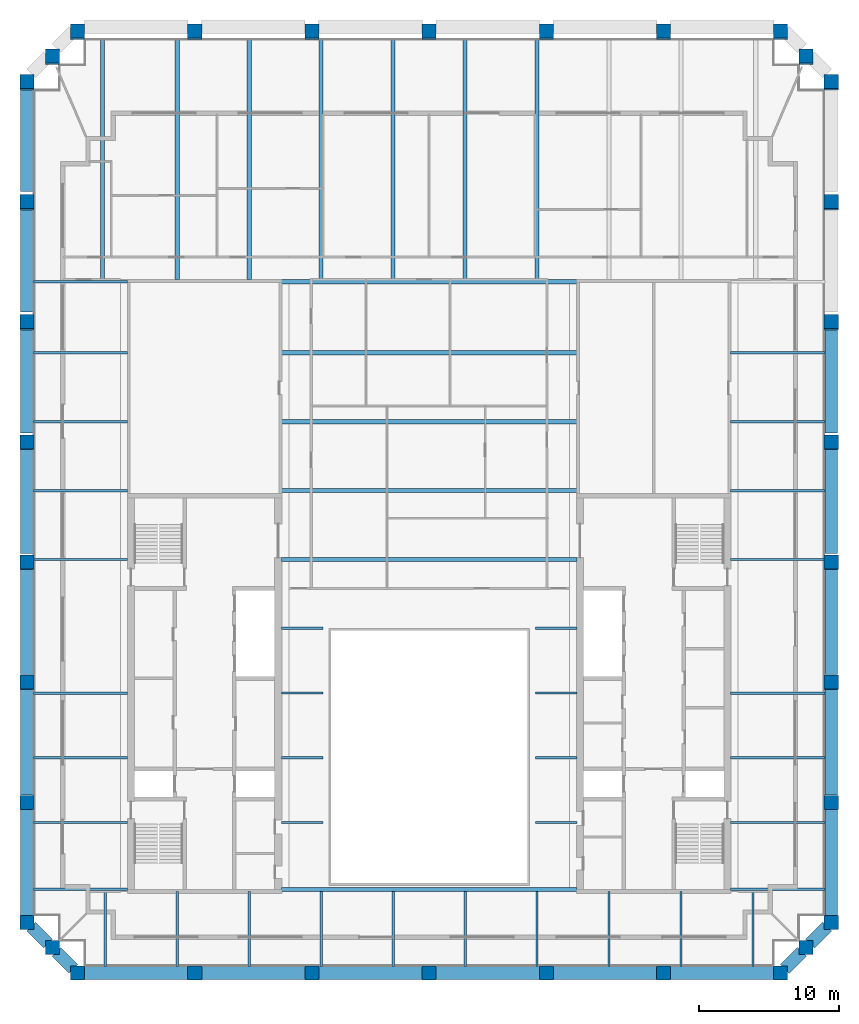
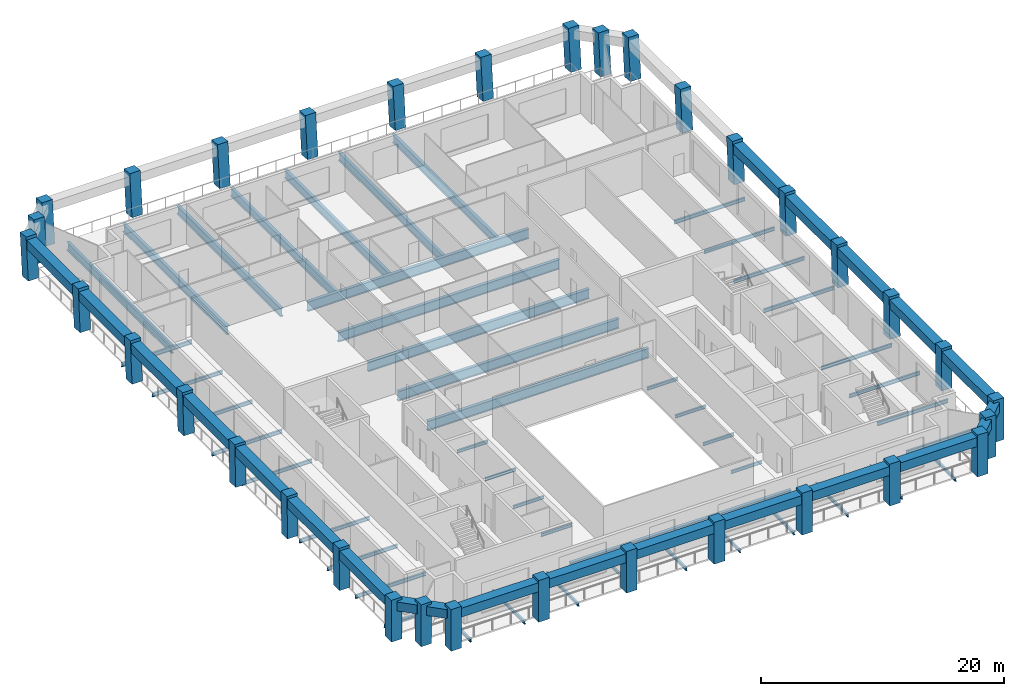
# One storey, part 1 of 8: 70 beams, 34 columns.
"""IFC4 building model written with IfcOpenShell, lengths in metres."""

from ifc_helpers import new_model, si_unit, direction, frame, origin, origin_2d, place, context, subcontext, project, spatial, rectangle, i_section, extrude, material, material_profile, profile_set, type_object, element, save


model = new_model("IFC4")

# Units and contexts
model_context = context("Model", 3, precision=1e-05, world=origin(), true_north=direction((0.0, 1.0)))
body_context = subcontext(model_context, "Body", "Model", "MODEL_VIEW")
ifc_project = project(units=[si_unit("LENGTHUNIT", "METRE"), si_unit("AREAUNIT", "SQUARE_METRE"), si_unit("VOLUMEUNIT", "CUBIC_METRE"), si_unit("PLANEANGLEUNIT", "RADIAN"), si_unit("MASSUNIT", "GRAM", prefix="KILO")], contexts=[model_context])

# Site, building, storey
site_placement = place(None, origin())
site = spatial("IfcSite", under=ifc_project, at=site_placement, CompositionType="ELEMENT")
building_placement = place(site_placement, origin())
building = spatial("IfcBuilding", under=site, at=building_placement, Name="Ogive Exchange Tower", CompositionType="ELEMENT")
storey_placement = place(building_placement, frame((0.0, 0.0, 338.39990234375)))
storey = spatial("IfcBuildingStorey", under=building, at=storey_placement, Name="L74", CompositionType="ELEMENT", Elevation=338.39990234375)

# Columns
ifc_material_1 = material(Name="Precast concrete C70/85 (limestone faced)", Category="masonry")
ifc_material_profile_1 = material_profile(ifc_material_1, rectangle(XDim=1.0, YDim=1.0, at=origin_2d()), Name="1000 x 1000")
ifc_profile_set_1 = profile_set([ifc_material_profile_1], Name="Precast concrete C70/85 (limestone faced)")
column_type = type_object("IfcColumnType", Name="Precast exoskeleton leg 1000 x 1000 C70/85", PredefinedType="COLUMN", material=ifc_profile_set_1)
for number, where, z_axis, x_axis, name in (
    (1, (-25.050048828125, -8.39990234375, 0.0), (0.0, 0.0, 1.0), (1.0, 0.0, 0.0), "Exoskeleton leg 1"),
    (2, (-16.699951171875, -8.39990234375, 0.0), (0.0, 0.0, 1.0), (1.0, 0.0, 0.0), "Exoskeleton leg 2"),
    (3, (-8.35009765625, -8.39990234375, 0.0), (0.0, 0.0, 1.0), (1.0, 0.0, 0.0), "Exoskeleton leg 3"),
    (4, (0.0, -8.39990234375, 0.0), (0.0, 0.0, 1.0), (1.0, 0.0, 0.0), "Exoskeleton leg 4"),
    (5, (8.35009765625, -8.39990234375, 0.0), (0.0, 0.0, 1.0), (1.0, 0.0, 0.0), "Exoskeleton leg 5"),
    (6, (16.699951171875, -8.39990234375, 0.0), (0.0, 0.0, 1.0), (1.0, 0.0, 0.0), "Exoskeleton leg 6"),
    (7, (25.050048828125, -8.39990234375, 0.0), (0.0, 0.0, 1.0), (1.0, 0.0, 0.0), "Exoskeleton leg 7"),
    (8, (28.64990234375, -4.800048828125, 0.0), (0.0, 0.0, 1.0), (1.0, 0.0, 0.0), "Exoskeleton leg 8"),
):
    element("IfcColumn", number, at=place(storey_placement, frame(where, z_axis=z_axis, x_axis=x_axis)), inside=storey, type_object=column_type, Name=name, PredefinedType="COLUMN", context=body_context, shape_type="SweptSolid", body=[
        extrude(rectangle(XDim=1.0, YDim=1.0, at=origin_2d()), origin(), (0.0, 0.0, 1.0), 4.2001953125),
    ])
column_1_placement = place(storey_placement, frame((28.64990234375, 3.74560546875, 0.0), z_axis=(0.0, 0.012961013053, 0.999916002543), x_axis=(-1.0, 0.0, 0.0)))
element("IfcColumn", 9, at=column_1_placement, inside=storey, type_object=column_type, Name="Exoskeleton leg 9", PredefinedType="COLUMN", context=body_context, shape_type="SweptSolid", body=[
    extrude(rectangle(XDim=1.0, YDim=1.0, at=origin_2d()), origin(), (0.0, 0.0, 1.0), 4.200439453125),
])
column_2_placement = place(storey_placement, frame((28.64990234375, 12.291015625, 0.0), z_axis=(0.0, 0.025915496696, 0.999664137114), x_axis=(-1.0, 0.0, 0.0)))
element("IfcColumn", 10, at=column_2_placement, inside=storey, type_object=column_type, Name="Exoskeleton leg 10", PredefinedType="COLUMN", context=body_context, shape_type="SweptSolid", body=[
    extrude(rectangle(XDim=1.0, YDim=1.0, at=origin_2d()), origin(), (0.0, 0.0, 1.0), 4.20166015625),
])
column_3_placement = place(storey_placement, frame((28.64990234375, 20.83642578125, 0.0), z_axis=(0.0, 0.038914932178, 0.999242527144), x_axis=(-1.0, 0.0, 0.0)))
element("IfcColumn", 11, at=column_3_placement, inside=storey, type_object=column_type, Name="Exoskeleton leg 11", PredefinedType="COLUMN", context=body_context, shape_type="SweptSolid", body=[
    extrude(rectangle(XDim=1.0, YDim=1.0, at=origin_2d()), origin(), (0.0, 0.0, 1.0), 4.203369140625),
])
column_4_placement = place(storey_placement, frame((28.64990234375, 29.3818359375, 0.0), z_axis=(0.0, 0.051894640399, 0.998652565359), x_axis=(-1.0, 0.0, 0.0)))
element("IfcColumn", 12, at=column_4_placement, inside=storey, type_object=column_type, Name="Exoskeleton leg 12", PredefinedType="COLUMN", context=body_context, shape_type="SweptSolid", body=[
    extrude(rectangle(XDim=1.0, YDim=1.0, at=origin_2d()), origin(), (0.0, 0.0, 1.0), 4.205810546875),
])
column_5_placement = place(storey_placement, frame((28.64990234375, 37.92724609375, 0.0), z_axis=(0.0, 0.064790343495, 0.997898898381), x_axis=(-1.0, 0.0, 0.0)))
element("IfcColumn", 13, at=column_5_placement, inside=storey, type_object=column_type, Name="Exoskeleton leg 13", PredefinedType="COLUMN", context=body_context, shape_type="SweptSolid", body=[
    extrude(rectangle(XDim=1.0, YDim=1.0, at=origin_2d()), origin(), (0.0, 0.0, 1.0), 4.208984375),
])
column_6_placement = place(storey_placement, frame((28.64990234375, 46.47265625, 0.0), z_axis=(0.0, 0.077711270103, 0.996975906679), x_axis=(-1.0, 0.0, 0.0)))
element("IfcColumn", 14, at=column_6_placement, inside=storey, type_object=column_type, Name="Exoskeleton leg 14", PredefinedType="COLUMN", context=body_context, shape_type="SweptSolid", body=[
    extrude(rectangle(XDim=1.0, YDim=1.0, at=origin_2d()), origin(), (0.0, 0.0, 1.0), 4.212890625),
])
for number, where, z_axis, x_axis, name in (
    (15, (28.64990234375, 55.018310546875, 0.0), (0.0, 0.090478332772, 0.995898424187), (-1.0, 0.0, 0.0), "Exoskeleton leg 15"),
    (16, (25.050048828125, 58.6181640625, 0.0), (0.0, 0.090535746043, 0.995893206468), (-1.0, 0.0, 0.0), "Exoskeleton leg 16"),
    (17, (16.699951171875, 58.6181640625, 0.0), (0.0, 0.090535746043, 0.995893206468), (-1.0, 0.0, 0.0), "Exoskeleton leg 17"),
    (18, (8.35009765625, 58.6181640625, 0.0), (0.0, 0.090535746043, 0.995893206468), (-1.0, 0.0, 0.0), "Exoskeleton leg 18"),
    (19, (0.0, 58.6181640625, 0.0), (0.0, 0.090535746043, 0.995893206468), (-1.0, 0.0, 0.0), "Exoskeleton leg 19"),
    (20, (-8.35009765625, 58.6181640625, 0.0), (0.0, 0.090535746043, 0.995893206468), (-1.0, 0.0, 0.0), "Exoskeleton leg 20"),
    (21, (-16.699951171875, 58.6181640625, 0.0), (0.0, 0.090535746043, 0.995893206468), (-1.0, 0.0, 0.0), "Exoskeleton leg 21"),
    (22, (-25.050048828125, 58.6181640625, 0.0), (0.0, 0.090535746043, 0.995893206468), (-1.0, 0.0, 0.0), "Exoskeleton leg 22"),
    (23, (-28.64990234375, 55.018310546875, 0.0), (0.0, 0.090478332772, 0.995898424187), (-1.0, 0.0, 0.0), "Exoskeleton leg 23"),
):
    element("IfcColumn", number, at=place(storey_placement, frame(where, z_axis=z_axis, x_axis=x_axis)), inside=storey, type_object=column_type, Name=name, PredefinedType="COLUMN", context=body_context, shape_type="SweptSolid", body=[
        extrude(rectangle(XDim=1.0, YDim=1.0, at=origin_2d()), origin(), (0.0, 0.0, 1.0), 4.217529296875),
    ])
column_7_placement = place(storey_placement, frame((-28.64990234375, 46.47265625, 0.0), z_axis=(0.0, 0.077711270103, 0.996975906679), x_axis=(-1.0, 0.0, 0.0)))
element("IfcColumn", 24, at=column_7_placement, inside=storey, type_object=column_type, Name="Exoskeleton leg 24", PredefinedType="COLUMN", context=body_context, shape_type="SweptSolid", body=[
    extrude(rectangle(XDim=1.0, YDim=1.0, at=origin_2d()), origin(), (0.0, 0.0, 1.0), 4.212890625),
])
column_8_placement = place(storey_placement, frame((-28.64990234375, 37.92724609375, 0.0), z_axis=(0.0, 0.064790343495, 0.997898898381), x_axis=(-1.0, 0.0, 0.0)))
element("IfcColumn", 25, at=column_8_placement, inside=storey, type_object=column_type, Name="Exoskeleton leg 25", PredefinedType="COLUMN", context=body_context, shape_type="SweptSolid", body=[
    extrude(rectangle(XDim=1.0, YDim=1.0, at=origin_2d()), origin(), (0.0, 0.0, 1.0), 4.208984375),
])
column_9_placement = place(storey_placement, frame((-28.64990234375, 29.3818359375, 0.0), z_axis=(0.0, 0.051894640399, 0.998652565359), x_axis=(-1.0, 0.0, 0.0)))
element("IfcColumn", 26, at=column_9_placement, inside=storey, type_object=column_type, Name="Exoskeleton leg 26", PredefinedType="COLUMN", context=body_context, shape_type="SweptSolid", body=[
    extrude(rectangle(XDim=1.0, YDim=1.0, at=origin_2d()), origin(), (0.0, 0.0, 1.0), 4.205810546875),
])
column_10_placement = place(storey_placement, frame((-28.64990234375, 20.83642578125, 0.0), z_axis=(0.0, 0.038914932178, 0.999242527144), x_axis=(-1.0, 0.0, 0.0)))
element("IfcColumn", 27, at=column_10_placement, inside=storey, type_object=column_type, Name="Exoskeleton leg 27", PredefinedType="COLUMN", context=body_context, shape_type="SweptSolid", body=[
    extrude(rectangle(XDim=1.0, YDim=1.0, at=origin_2d()), origin(), (0.0, 0.0, 1.0), 4.203369140625),
])
column_11_placement = place(storey_placement, frame((-28.64990234375, 12.291015625, 0.0), z_axis=(0.0, 0.025915496696, 0.999664137114), x_axis=(-1.0, 0.0, 0.0)))
element("IfcColumn", 28, at=column_11_placement, inside=storey, type_object=column_type, Name="Exoskeleton leg 28", PredefinedType="COLUMN", context=body_context, shape_type="SweptSolid", body=[
    extrude(rectangle(XDim=1.0, YDim=1.0, at=origin_2d()), origin(), (0.0, 0.0, 1.0), 4.20166015625),
])
column_12_placement = place(storey_placement, frame((-28.64990234375, 3.74560546875, 0.0), z_axis=(0.0, 0.012961013053, 0.999916002543), x_axis=(-1.0, 0.0, 0.0)))
element("IfcColumn", 29, at=column_12_placement, inside=storey, type_object=column_type, Name="Exoskeleton leg 29", PredefinedType="COLUMN", context=body_context, shape_type="SweptSolid", body=[
    extrude(rectangle(XDim=1.0, YDim=1.0, at=origin_2d()), origin(), (0.0, 0.0, 1.0), 4.200439453125),
])
for number, where, z_axis, x_axis, name in (
    (30, (-28.64990234375, -4.800048828125, 0.0), (0.0, 0.0, 1.0), (1.0, 0.0, 0.0), "Exoskeleton leg 30"),
    (31, (26.85009765625, -6.60009765625, 0.0), (0.0, 0.0, 1.0), (1.0, 0.0, 0.0), "Exoskeleton leg 31"),
):
    element("IfcColumn", number, at=place(storey_placement, frame(where, z_axis=z_axis, x_axis=x_axis)), inside=storey, type_object=column_type, Name=name, PredefinedType="COLUMN", context=body_context, shape_type="SweptSolid", body=[
        extrude(rectangle(XDim=1.0, YDim=1.0, at=origin_2d()), origin(), (0.0, 0.0, 1.0), 4.2001953125),
    ])
for number, where, z_axis, x_axis, name in (
    (32, (26.85009765625, 56.818115234375, 0.0), (0.0, 0.090535746043, 0.995893206468), (-1.0, 0.0, 0.0), "Exoskeleton leg 32"),
    (33, (-26.85009765625, 56.818115234375, 0.0), (0.0, 0.090535746043, 0.995893206468), (-1.0, 0.0, 0.0), "Exoskeleton leg 33"),
):
    element("IfcColumn", number, at=place(storey_placement, frame(where, z_axis=z_axis, x_axis=x_axis)), inside=storey, type_object=column_type, Name=name, PredefinedType="COLUMN", context=body_context, shape_type="SweptSolid", body=[
        extrude(rectangle(XDim=1.0, YDim=1.0, at=origin_2d()), origin(), (0.0, 0.0, 1.0), 4.217529296875),
    ])
column_13_placement = place(storey_placement, frame((-26.85009765625, -6.60009765625, 0.0), z_axis=(0.0, 0.0, 1.0), x_axis=(1.0, 0.0, 0.0)))
element("IfcColumn", 34, at=column_13_placement, inside=storey, type_object=column_type, Name="Exoskeleton leg 34", PredefinedType="COLUMN", context=body_context, shape_type="SweptSolid", body=[
    extrude(rectangle(XDim=1.0, YDim=1.0, at=origin_2d()), origin(), (0.0, 0.0, 1.0), 4.2001953125),
])

# Beams
ifc_material_2 = material(Name="Steel ASTM A992 Gr50", Category="steel")
ifc_material_profile_2 = material_profile(ifc_material_2, i_section(OverallWidth=0.300048828125, OverallDepth=0.97998046875, WebThickness=0.0166015625, FlangeThickness=0.026123046875, at=origin_2d()), Name="W1000x249")
ifc_profile_set_2 = profile_set([ifc_material_profile_2], Name="Steel ASTM A992 Gr50")
beam_type_1 = type_object("IfcBeamType", Name="Floor beam W1000x249", PredefinedType="JOIST", material=ifc_profile_set_2)
for number, where, z_axis, x_axis, name in (
    (35, (-10.52001953125, 21.06201171875, -0.68994140625), (1.0, 0.0, 0.0), (0.0, 1.0, 0.0), "Floor beam"),
    (36, (-10.52001953125, 25.968994140625, -0.68994140625), (1.0, 0.0, 0.0), (0.0, 1.0, 0.0), "Floor beam"),
    (37, (-10.52001953125, 30.8759765625, -0.68994140625), (1.0, 0.0, 0.0), (0.0, 1.0, 0.0), "Floor beam"),
    (38, (-10.52001953125, 35.782958984375, -0.68994140625), (1.0, 0.0, 0.0), (0.0, 1.0, 0.0), "Floor beam"),
):
    element("IfcBeam", number, at=place(storey_placement, frame(where, z_axis=z_axis, x_axis=x_axis)), inside=storey, type_object=beam_type_1, Name=name, PredefinedType="JOIST", context=body_context, shape_type="SweptSolid", body=[
        extrude(i_section(OverallWidth=0.300048828125, OverallDepth=0.97998046875, WebThickness=0.0166015625, FlangeThickness=0.026123046875, at=origin_2d()), origin(), (0.0, 0.0, 1.0), 21.0400390625),
    ])
ifc_material_profile_3 = material_profile(ifc_material_2, i_section(OverallWidth=0.1650390625, OverallDepth=0.31005859375, WebThickness=0.005859375, FlangeThickness=0.009765625, at=origin_2d()), Name="W310x38.7")
ifc_profile_set_3 = profile_set([ifc_material_profile_3], Name="Steel ASTM A992 Gr50")
beam_type_2 = type_object("IfcBeamType", Name="Floor beam W310x38.7", PredefinedType="JOIST", material=ifc_profile_set_3)
for number, where, z_axis, x_axis, name in (
    (39, (-10.52001953125, 2.3212890625, -0.35498046875), (1.0, 0.0, 0.0), (0.0, 1.0, 0.0), "Floor beam"),
    (40, (7.570068359375, 2.3212890625, -0.35498046875), (1.0, 0.0, 0.0), (0.0, 1.0, 0.0), "Floor beam"),
    (41, (-10.52001953125, 6.9326171875, -0.35498046875), (1.0, 0.0, 0.0), (0.0, 1.0, 0.0), "Floor beam"),
    (42, (7.570068359375, 6.9326171875, -0.35498046875), (1.0, 0.0, 0.0), (0.0, 1.0, 0.0), "Floor beam"),
    (43, (-10.52001953125, 11.543701171875, -0.35498046875), (1.0, 0.0, 0.0), (0.0, 1.0, 0.0), "Floor beam"),
    (44, (7.570068359375, 11.543701171875, -0.35498046875), (1.0, 0.0, 0.0), (0.0, 1.0, 0.0), "Floor beam"),
):
    element("IfcBeam", number, at=place(storey_placement, frame(where, z_axis=z_axis, x_axis=x_axis)), inside=storey, type_object=beam_type_2, Name=name, PredefinedType="JOIST", context=body_context, shape_type="SweptSolid", body=[
        extrude(i_section(OverallWidth=0.1650390625, OverallDepth=0.31005859375, WebThickness=0.005859375, FlangeThickness=0.009765625, at=origin_2d()), origin(), (0.0, 0.0, 1.0), 2.949951171875),
    ])
beam_1_placement = place(storey_placement, frame((-23.07275390625, -7.949951171875, -0.35498046875), z_axis=(0.0, 1.0, 0.0), x_axis=(-1.0, 0.0, 0.0)))
element("IfcBeam", 45, at=beam_1_placement, inside=storey, type_object=beam_type_2, Name="Floor beam", PredefinedType="JOIST", context=body_context, shape_type="SweptSolid", body=[
    extrude(i_section(OverallWidth=0.1650390625, OverallDepth=0.31005859375, WebThickness=0.005859375, FlangeThickness=0.009765625, at=origin_2d()), origin(), (0.0, 0.0, 1.0), 5.416015625),
])
for number, where, z_axis, x_axis, name in (
    (46, (-17.945556640625, -7.949951171875, -0.35498046875), (0.0, 1.0, 0.0), (-1.0, 0.0, 0.0), "Floor beam"),
    (47, (-12.818115234375, -7.949951171875, -0.35498046875), (0.0, 1.0, 0.0), (-1.0, 0.0, 0.0), "Floor beam"),
):
    element("IfcBeam", number, at=place(storey_placement, frame(where, z_axis=z_axis, x_axis=x_axis)), inside=storey, type_object=beam_type_2, Name=name, PredefinedType="JOIST", context=body_context, shape_type="SweptSolid", body=[
        extrude(i_section(OverallWidth=0.1650390625, OverallDepth=0.31005859375, WebThickness=0.005859375, FlangeThickness=0.009765625, at=origin_2d()), origin(), (0.0, 0.0, 1.0), 5.349853515625),
    ])
for number, where, z_axis, x_axis, name in (
    (48, (-7.69091796875, -7.949951171875, -0.35498046875), (0.0, 1.0, 0.0), (-1.0, 0.0, 0.0), "Floor beam"),
    (49, (-2.563720703125, -7.949951171875, -0.35498046875), (0.0, 1.0, 0.0), (-1.0, 0.0, 0.0), "Floor beam"),
    (50, (2.563720703125, -7.949951171875, -0.35498046875), (0.0, 1.0, 0.0), (-1.0, 0.0, 0.0), "Floor beam"),
    (51, (7.69091796875, -7.949951171875, -0.35498046875), (0.0, 1.0, 0.0), (-1.0, 0.0, 0.0), "Floor beam"),
):
    element("IfcBeam", number, at=place(storey_placement, frame(where, z_axis=z_axis, x_axis=x_axis)), inside=storey, type_object=beam_type_2, Name=name, PredefinedType="JOIST", context=body_context, shape_type="SweptSolid", body=[
        extrude(i_section(OverallWidth=0.1650390625, OverallDepth=0.31005859375, WebThickness=0.005859375, FlangeThickness=0.009765625, at=origin_2d()), origin(), (0.0, 0.0, 1.0), 5.35498046875),
    ])
for number, where, z_axis, x_axis, name in (
    (52, (12.818115234375, -7.949951171875, -0.35498046875), (0.0, 1.0, 0.0), (-1.0, 0.0, 0.0), "Floor beam"),
    (53, (17.945556640625, -7.949951171875, -0.35498046875), (0.0, 1.0, 0.0), (-1.0, 0.0, 0.0), "Floor beam"),
):
    element("IfcBeam", number, at=place(storey_placement, frame(where, z_axis=z_axis, x_axis=x_axis)), inside=storey, type_object=beam_type_2, Name=name, PredefinedType="JOIST", context=body_context, shape_type="SweptSolid", body=[
        extrude(i_section(OverallWidth=0.1650390625, OverallDepth=0.31005859375, WebThickness=0.005859375, FlangeThickness=0.009765625, at=origin_2d()), origin(), (0.0, 0.0, 1.0), 5.349853515625),
    ])
beam_2_placement = place(storey_placement, frame((23.07275390625, -7.949951171875, -0.35498046875), z_axis=(0.0, 1.0, 0.0), x_axis=(-1.0, 0.0, 0.0)))
element("IfcBeam", 54, at=beam_2_placement, inside=storey, type_object=beam_type_2, Name="Floor beam", PredefinedType="JOIST", context=body_context, shape_type="SweptSolid", body=[
    extrude(i_section(OverallWidth=0.1650390625, OverallDepth=0.31005859375, WebThickness=0.005859375, FlangeThickness=0.009765625, at=origin_2d()), origin(), (0.0, 0.0, 1.0), 5.416015625),
])
ifc_material_profile_4 = material_profile(ifc_material_2, i_section(OverallWidth=0.1708984375, OverallDepth=0.35595703125, WebThickness=0.00732421875, FlangeThickness=0.01171875, at=origin_2d()), Name="W360x51")
ifc_profile_set_4 = profile_set([ifc_material_profile_4], Name="Steel ASTM A992 Gr50")
beam_type_3 = type_object("IfcBeamType", Name="Floor beam W360x51", PredefinedType="JOIST", material=ifc_profile_set_4)
for number, where, z_axis, x_axis, name in (
    (55, (-28.199951171875, 2.3212890625, -0.3779296875), (1.0, 0.0, 0.0), (0.0, 1.0, 0.0), "Floor beam"),
    (56, (21.47998046875, 2.3212890625, -0.3779296875), (1.0, 0.0, 0.0), (0.0, 1.0, 0.0), "Floor beam"),
    (57, (-28.199951171875, 6.9326171875, -0.3779296875), (1.0, 0.0, 0.0), (0.0, 1.0, 0.0), "Floor beam"),
    (58, (21.47998046875, 6.9326171875, -0.3779296875), (1.0, 0.0, 0.0), (0.0, 1.0, 0.0), "Floor beam"),
    (59, (-28.199951171875, 11.543701171875, -0.3779296875), (1.0, 0.0, 0.0), (0.0, 1.0, 0.0), "Floor beam"),
    (60, (21.47998046875, 11.543701171875, -0.3779296875), (1.0, 0.0, 0.0), (0.0, 1.0, 0.0), "Floor beam"),
    (61, (-28.199951171875, 21.06201171875, -0.3779296875), (1.0, 0.0, 0.0), (0.0, 1.0, 0.0), "Floor beam"),
    (62, (21.47998046875, 21.06201171875, -0.3779296875), (1.0, 0.0, 0.0), (0.0, 1.0, 0.0), "Floor beam"),
    (63, (-28.199951171875, 25.968994140625, -0.3779296875), (1.0, 0.0, 0.0), (0.0, 1.0, 0.0), "Floor beam"),
    (64, (21.47998046875, 25.968994140625, -0.3779296875), (1.0, 0.0, 0.0), (0.0, 1.0, 0.0), "Floor beam"),
    (65, (-28.199951171875, 30.8759765625, -0.3779296875), (1.0, 0.0, 0.0), (0.0, 1.0, 0.0), "Floor beam"),
    (66, (21.47998046875, 30.8759765625, -0.3779296875), (1.0, 0.0, 0.0), (0.0, 1.0, 0.0), "Floor beam"),
    (67, (-28.199951171875, 35.782958984375, -0.3779296875), (1.0, 0.0, 0.0), (0.0, 1.0, 0.0), "Floor beam"),
    (68, (21.47998046875, 35.782958984375, -0.3779296875), (1.0, 0.0, 0.0), (0.0, 1.0, 0.0), "Floor beam"),
):
    element("IfcBeam", number, at=place(storey_placement, frame(where, z_axis=z_axis, x_axis=x_axis)), inside=storey, type_object=beam_type_3, Name=name, PredefinedType="JOIST", context=body_context, shape_type="SweptSolid", body=[
        extrude(i_section(OverallWidth=0.1708984375, OverallDepth=0.35595703125, WebThickness=0.00732421875, FlangeThickness=0.01171875, at=origin_2d()), origin(), (0.0, 0.0, 1.0), 6.719970703125),
    ])
ifc_material_profile_5 = material_profile(ifc_material_2, i_section(OverallWidth=0.2919921875, OverallDepth=0.8359375, WebThickness=0.013916015625, FlangeThickness=0.018798828125, at=origin_2d()), Name="W840x176")
ifc_profile_set_5 = profile_set([ifc_material_profile_5], Name="Steel ASTM A992 Gr50")
beam_type_4 = type_object("IfcBeamType", Name="Floor beam W840x176", PredefinedType="JOIST", material=ifc_profile_set_5)
beam_3_placement = place(storey_placement, frame((-23.272705078125, 40.93408203125, -0.617919921875), z_axis=(0.0, 1.0, 0.0), x_axis=(-1.0, 0.0, 0.0)))
element("IfcBeam", 69, at=beam_3_placement, inside=storey, type_object=beam_type_4, Name="Floor beam", PredefinedType="JOIST", context=body_context, shape_type="SweptSolid", body=[
    extrude(i_section(OverallWidth=0.2919921875, OverallDepth=0.8359375, WebThickness=0.013916015625, FlangeThickness=0.018798828125, at=origin_2d()), origin(), (0.0, 0.0, 1.0), 17.234130859375),
])
for number, where, z_axis, x_axis, name in (
    (70, (-17.945556640625, 41.0, -0.617919921875), (0.0, 1.0, 0.0), (-1.0, 0.0, 0.0), "Floor beam"),
    (71, (-12.818115234375, 41.0, -0.617919921875), (0.0, 1.0, 0.0), (-1.0, 0.0, 0.0), "Floor beam"),
):
    element("IfcBeam", number, at=place(storey_placement, frame(where, z_axis=z_axis, x_axis=x_axis)), inside=storey, type_object=beam_type_4, Name=name, PredefinedType="JOIST", context=body_context, shape_type="SweptSolid", body=[
        extrude(i_section(OverallWidth=0.2919921875, OverallDepth=0.8359375, WebThickness=0.013916015625, FlangeThickness=0.018798828125, at=origin_2d()), origin(), (0.0, 0.0, 1.0), 17.168212890625),
    ])
for number, where, z_axis, x_axis, name in (
    (72, (-7.69091796875, 40.9951171875, -0.617919921875), (0.0, 1.0, 0.0), (-1.0, 0.0, 0.0), "Floor beam"),
    (73, (-2.563720703125, 40.9951171875, -0.617919921875), (0.0, 1.0, 0.0), (-1.0, 0.0, 0.0), "Floor beam"),
    (74, (2.563720703125, 40.9951171875, -0.617919921875), (0.0, 1.0, 0.0), (-1.0, 0.0, 0.0), "Floor beam"),
    (75, (7.69091796875, 40.9951171875, -0.617919921875), (0.0, 1.0, 0.0), (-1.0, 0.0, 0.0), "Floor beam"),
):
    element("IfcBeam", number, at=place(storey_placement, frame(where, z_axis=z_axis, x_axis=x_axis)), inside=storey, type_object=beam_type_4, Name=name, PredefinedType="JOIST", context=body_context, shape_type="SweptSolid", body=[
        extrude(i_section(OverallWidth=0.2919921875, OverallDepth=0.8359375, WebThickness=0.013916015625, FlangeThickness=0.018798828125, at=origin_2d()), origin(), (0.0, 0.0, 1.0), 17.173095703125),
    ])
ifc_material_profile_6 = material_profile(ifc_material_2, i_section(OverallWidth=0.300048828125, OverallDepth=0.97998046875, WebThickness=0.0166015625, FlangeThickness=0.026123046875, at=origin_2d()), Name="W1000x249")
ifc_profile_set_6 = profile_set([ifc_material_profile_6], Name="Steel ASTM A992 Gr50")
beam_type_5 = type_object("IfcBeamType", Name="Girder W1000x249", PredefinedType="BEAM", material=ifc_profile_set_6)
for number, where, z_axis, x_axis, name in (
    (76, (-10.52001953125, -2.445068359375, -0.68994140625), (1.0, 0.0, 0.0), (0.0, 1.0, 0.0), "Header girder"),
    (77, (-10.52001953125, 40.844970703125, -0.68994140625), (1.0, 0.0, 0.0), (0.0, 1.0, 0.0), "Header girder"),
):
    element("IfcBeam", number, at=place(storey_placement, frame(where, z_axis=z_axis, x_axis=x_axis)), inside=storey, type_object=beam_type_5, Name=name, PredefinedType="BEAM", context=body_context, shape_type="SweptSolid", body=[
        extrude(i_section(OverallWidth=0.300048828125, OverallDepth=0.97998046875, WebThickness=0.0166015625, FlangeThickness=0.026123046875, at=origin_2d()), origin(), (0.0, 0.0, 1.0), 21.0400390625),
    ])
ifc_material_profile_7 = material_profile(ifc_material_2, i_section(OverallWidth=0.1650390625, OverallDepth=0.31005859375, WebThickness=0.005859375, FlangeThickness=0.009765625, at=origin_2d()), Name="W310x38.7")
ifc_profile_set_7 = profile_set([ifc_material_profile_7], Name="Steel ASTM A992 Gr50")
beam_type_6 = type_object("IfcBeamType", Name="Girder W310x38.7", PredefinedType="BEAM", material=ifc_profile_set_7)
for number, where, z_axis, x_axis, name in (
    (78, (-10.52001953125, 16.155029296875, -0.35498046875), (1.0, 0.0, 0.0), (0.0, 1.0, 0.0), "Trimmer girder"),
    (79, (7.570068359375, 16.155029296875, -0.35498046875), (1.0, 0.0, 0.0), (0.0, 1.0, 0.0), "Trimmer girder"),
):
    element("IfcBeam", number, at=place(storey_placement, frame(where, z_axis=z_axis, x_axis=x_axis)), inside=storey, type_object=beam_type_6, Name=name, PredefinedType="BEAM", context=body_context, shape_type="SweptSolid", body=[
        extrude(i_section(OverallWidth=0.1650390625, OverallDepth=0.31005859375, WebThickness=0.005859375, FlangeThickness=0.009765625, at=origin_2d()), origin(), (0.0, 0.0, 1.0), 2.949951171875),
    ])
ifc_material_profile_8 = material_profile(ifc_material_2, i_section(OverallWidth=0.177978515625, OverallDepth=0.406005859375, WebThickness=0.0078125, FlangeThickness=0.0126953125, at=origin_2d()), Name="W410x60")
ifc_profile_set_8 = profile_set([ifc_material_profile_8], Name="Steel ASTM A992 Gr50")
beam_type_7 = type_object("IfcBeamType", Name="Girder W410x60", PredefinedType="BEAM", material=ifc_profile_set_8)
for number, where, z_axis, x_axis, name in (
    (80, (-28.199951171875, -2.445068359375, -0.40283203125), (1.0, 0.0, 0.0), (0.0, 1.0, 0.0), "Header girder"),
    (81, (21.47998046875, -2.445068359375, -0.40283203125), (1.0, 0.0, 0.0), (0.0, 1.0, 0.0), "Header girder"),
    (82, (-28.199951171875, 40.844970703125, -0.40283203125), (1.0, 0.0, 0.0), (0.0, 1.0, 0.0), "Header girder"),
):
    element("IfcBeam", number, at=place(storey_placement, frame(where, z_axis=z_axis, x_axis=x_axis)), inside=storey, type_object=beam_type_7, Name=name, PredefinedType="BEAM", context=body_context, shape_type="SweptSolid", body=[
        extrude(i_section(OverallWidth=0.177978515625, OverallDepth=0.406005859375, WebThickness=0.0078125, FlangeThickness=0.0126953125, at=origin_2d()), origin(), (0.0, 0.0, 1.0), 6.719970703125),
    ])
ifc_material_profile_9 = material_profile(ifc_material_1, rectangle(XDim=0.89990234375, YDim=0.89990234375, at=origin_2d()), Name="900 x 900")
ifc_profile_set_9 = profile_set([ifc_material_profile_9], Name="Precast concrete C70/85 (limestone faced)")
beam_type_8 = type_object("IfcBeamType", Name="Precast spandrel 900 x 900 C70/85", PredefinedType="SPANDREL", material=ifc_profile_set_9)
beam_4_placement = place(storey_placement, frame((-24.570068359375, -8.39990234375, 3.5), z_axis=(1.0, 0.0, 0.0), x_axis=(0.0, 1.0, 0.0)))
element("IfcBeam", 83, at=beam_4_placement, inside=storey, type_object=beam_type_8, Name="Spandrel 1", PredefinedType="SPANDREL", context=body_context, shape_type="SweptSolid", body=[
    extrude(rectangle(XDim=0.89990234375, YDim=0.89990234375, at=origin_2d()), origin(), (0.0, 0.0, 1.0), 7.39013671875),
])
beam_5_placement = place(storey_placement, frame((-16.219970703125, -8.39990234375, 3.5), z_axis=(1.0, 0.0, 0.0), x_axis=(0.0, 1.0, 0.0)))
element("IfcBeam", 84, at=beam_5_placement, inside=storey, type_object=beam_type_8, Name="Spandrel 2", PredefinedType="SPANDREL", context=body_context, shape_type="SweptSolid", body=[
    extrude(rectangle(XDim=0.89990234375, YDim=0.89990234375, at=origin_2d()), origin(), (0.0, 0.0, 1.0), 7.389892578125),
])
for number, where, z_axis, x_axis, name in (
    (85, (-7.8701171875, -8.39990234375, 3.5), (1.0, 0.0, 0.0), (0.0, 1.0, 0.0), "Spandrel 3"),
    (86, (0.47998046875, -8.39990234375, 3.5), (1.0, 0.0, 0.0), (0.0, 1.0, 0.0), "Spandrel 4"),
):
    element("IfcBeam", number, at=place(storey_placement, frame(where, z_axis=z_axis, x_axis=x_axis)), inside=storey, type_object=beam_type_8, Name=name, PredefinedType="SPANDREL", context=body_context, shape_type="SweptSolid", body=[
        extrude(rectangle(XDim=0.89990234375, YDim=0.89990234375, at=origin_2d()), origin(), (0.0, 0.0, 1.0), 7.39013671875),
    ])
beam_6_placement = place(storey_placement, frame((8.830078125, -8.39990234375, 3.5), z_axis=(1.0, 0.0, 0.0), x_axis=(0.0, 1.0, 0.0)))
element("IfcBeam", 87, at=beam_6_placement, inside=storey, type_object=beam_type_8, Name="Spandrel 5", PredefinedType="SPANDREL", context=body_context, shape_type="SweptSolid", body=[
    extrude(rectangle(XDim=0.89990234375, YDim=0.89990234375, at=origin_2d()), origin(), (0.0, 0.0, 1.0), 7.389892578125),
])
beam_7_placement = place(storey_placement, frame((17.179931640625, -8.39990234375, 3.5), z_axis=(1.0, 0.0, 0.0), x_axis=(0.0, 1.0, 0.0)))
element("IfcBeam", 88, at=beam_7_placement, inside=storey, type_object=beam_type_8, Name="Spandrel 6", PredefinedType="SPANDREL", context=body_context, shape_type="SweptSolid", body=[
    extrude(rectangle(XDim=0.89990234375, YDim=0.89990234375, at=origin_2d()), origin(), (0.0, 0.0, 1.0), 7.39013671875),
])
for number, where, z_axis, x_axis, name in (
    (89, (25.337890625, -8.112060546875, 3.5), (0.707106781187, 0.707106781187, 0.0), (-0.707106781187, 0.707106781187, 0.0), "Spandrel 7"),
    (90, (27.137939453125, -6.31201171875, 3.5), (0.707106781187, 0.707106781187, 0.0), (-0.707106781187, 0.707106781187, 0.0), "Spandrel 8"),
):
    element("IfcBeam", number, at=place(storey_placement, frame(where, z_axis=z_axis, x_axis=x_axis)), inside=storey, type_object=beam_type_8, Name=name, PredefinedType="SPANDREL", context=body_context, shape_type="SweptSolid", body=[
        extrude(rectangle(XDim=0.89990234375, YDim=0.89990234375, at=origin_2d()), origin(), (0.0, 0.0, 1.0), 1.731201171875),
    ])
beam_8_placement = place(storey_placement, frame((28.64990234375, -4.320068359375, 3.5), z_axis=(0.0, 1.0, 0.0), x_axis=(-1.0, 0.0, 0.0)))
element("IfcBeam", 91, at=beam_8_placement, inside=storey, type_object=beam_type_8, Name="Spandrel 9", PredefinedType="SPANDREL", context=body_context, shape_type="SweptSolid", body=[
    extrude(rectangle(XDim=0.89990234375, YDim=0.89990234375, at=origin_2d()), origin(), (0.0, 0.0, 1.0), 7.64013671875),
])
beam_9_placement = place(storey_placement, frame((28.64990234375, 4.280029296875, 3.5), z_axis=(0.0, 1.0, 0.0), x_axis=(-1.0, 0.0, 0.0)))
element("IfcBeam", 92, at=beam_9_placement, inside=storey, type_object=beam_type_8, Name="Spandrel 10", PredefinedType="SPANDREL", context=body_context, shape_type="SweptSolid", body=[
    extrude(rectangle(XDim=0.89990234375, YDim=0.89990234375, at=origin_2d()), origin(), (0.0, 0.0, 1.0), 7.639892578125),
])
for number, where, z_axis, x_axis, name in (
    (93, (28.64990234375, 12.8798828125, 3.5), (0.0, 1.0, 0.0), (-1.0, 0.0, 0.0), "Spandrel 11"),
    (94, (28.64990234375, 21.47998046875, 3.5), (0.0, 1.0, 0.0), (-1.0, 0.0, 0.0), "Spandrel 12"),
):
    element("IfcBeam", number, at=place(storey_placement, frame(where, z_axis=z_axis, x_axis=x_axis)), inside=storey, type_object=beam_type_8, Name=name, PredefinedType="SPANDREL", context=body_context, shape_type="SweptSolid", body=[
        extrude(rectangle(XDim=0.89990234375, YDim=0.89990234375, at=origin_2d()), origin(), (0.0, 0.0, 1.0), 7.64013671875),
    ])
for number, where, z_axis, x_axis, name in (
    (95, (28.64990234375, 30.080078125, 3.5), (0.0, 1.0, 0.0), (-1.0, 0.0, 0.0), "Spandrel 13"),
    (96, (-28.64990234375, 54.919921875, 3.5), (0.0, -1.0, 0.0), (1.0, 0.0, 0.0), "Spandrel 26"),
):
    element("IfcBeam", number, at=place(storey_placement, frame(where, z_axis=z_axis, x_axis=x_axis)), inside=storey, type_object=beam_type_8, Name=name, PredefinedType="SPANDREL", context=body_context, shape_type="SweptSolid", body=[
        extrude(rectangle(XDim=0.89990234375, YDim=0.89990234375, at=origin_2d()), origin(), (0.0, 0.0, 1.0), 7.639892578125),
    ])
beam_10_placement = place(storey_placement, frame((-28.64990234375, 46.320068359375, 3.5), z_axis=(0.0, -1.0, 0.0), x_axis=(1.0, 0.0, 0.0)))
element("IfcBeam", 97, at=beam_10_placement, inside=storey, type_object=beam_type_8, Name="Spandrel 27", PredefinedType="SPANDREL", context=body_context, shape_type="SweptSolid", body=[
    extrude(rectangle(XDim=0.89990234375, YDim=0.89990234375, at=origin_2d()), origin(), (0.0, 0.0, 1.0), 7.64013671875),
])
beam_11_placement = place(storey_placement, frame((-28.64990234375, 37.719970703125, 3.5), z_axis=(0.0, -1.0, 0.0), x_axis=(1.0, 0.0, 0.0)))
element("IfcBeam", 98, at=beam_11_placement, inside=storey, type_object=beam_type_8, Name="Spandrel 28", PredefinedType="SPANDREL", context=body_context, shape_type="SweptSolid", body=[
    extrude(rectangle(XDim=0.89990234375, YDim=0.89990234375, at=origin_2d()), origin(), (0.0, 0.0, 1.0), 7.639892578125),
])
for number, where, z_axis, x_axis, name in (
    (99, (-28.64990234375, 29.1201171875, 3.5), (0.0, -1.0, 0.0), (1.0, 0.0, 0.0), "Spandrel 29"),
    (100, (-28.64990234375, 20.52001953125, 3.5), (0.0, -1.0, 0.0), (1.0, 0.0, 0.0), "Spandrel 30"),
):
    element("IfcBeam", number, at=place(storey_placement, frame(where, z_axis=z_axis, x_axis=x_axis)), inside=storey, type_object=beam_type_8, Name=name, PredefinedType="SPANDREL", context=body_context, shape_type="SweptSolid", body=[
        extrude(rectangle(XDim=0.89990234375, YDim=0.89990234375, at=origin_2d()), origin(), (0.0, 0.0, 1.0), 7.64013671875),
    ])
beam_12_placement = place(storey_placement, frame((-28.64990234375, 11.919921875, 3.5), z_axis=(0.0, -1.0, 0.0), x_axis=(1.0, 0.0, 0.0)))
element("IfcBeam", 101, at=beam_12_placement, inside=storey, type_object=beam_type_8, Name="Spandrel 31", PredefinedType="SPANDREL", context=body_context, shape_type="SweptSolid", body=[
    extrude(rectangle(XDim=0.89990234375, YDim=0.89990234375, at=origin_2d()), origin(), (0.0, 0.0, 1.0), 7.639892578125),
])
beam_13_placement = place(storey_placement, frame((-28.64990234375, 3.320068359375, 3.5), z_axis=(0.0, -1.0, 0.0), x_axis=(1.0, 0.0, 0.0)))
element("IfcBeam", 102, at=beam_13_placement, inside=storey, type_object=beam_type_8, Name="Spandrel 32", PredefinedType="SPANDREL", context=body_context, shape_type="SweptSolid", body=[
    extrude(rectangle(XDim=0.89990234375, YDim=0.89990234375, at=origin_2d()), origin(), (0.0, 0.0, 1.0), 7.64013671875),
])
for number, where, z_axis, x_axis, name in (
    (103, (-28.362060546875, -5.087890625, 3.5), (0.707106781187, -0.707106781187, 0.0), (0.707106781187, 0.707106781187, 0.0), "Spandrel 33"),
    (104, (-26.56201171875, -6.887939453125, 3.5), (0.707106781187, -0.707106781187, 0.0), (0.707106781187, 0.707106781187, 0.0), "Spandrel 34"),
):
    element("IfcBeam", number, at=place(storey_placement, frame(where, z_axis=z_axis, x_axis=x_axis)), inside=storey, type_object=beam_type_8, Name=name, PredefinedType="SPANDREL", context=body_context, shape_type="SweptSolid", body=[
        extrude(rectangle(XDim=0.89990234375, YDim=0.89990234375, at=origin_2d()), origin(), (0.0, 0.0, 1.0), 1.731201171875),
    ])

save(model, "model.ifc")
